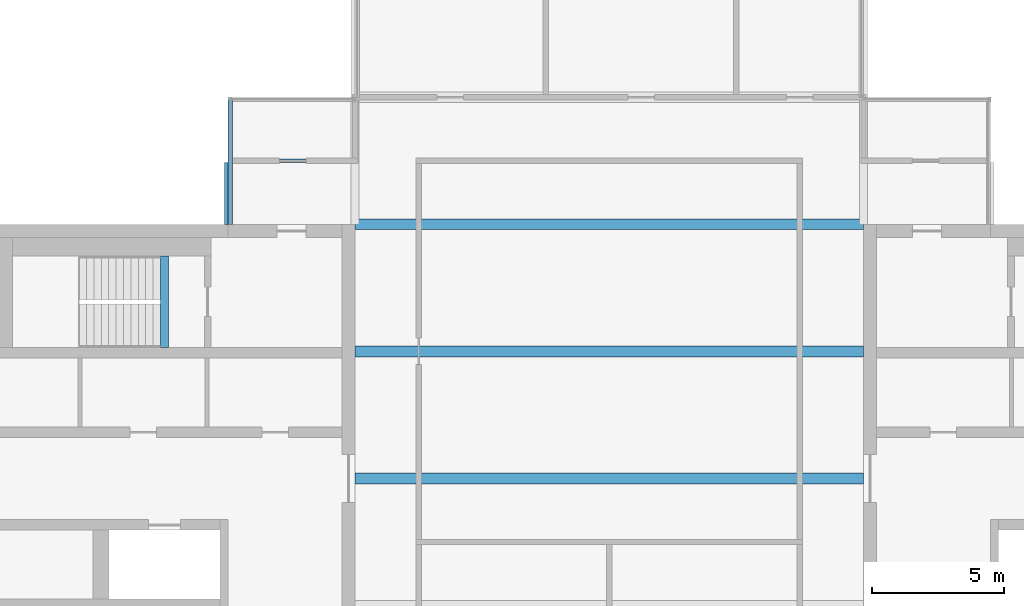
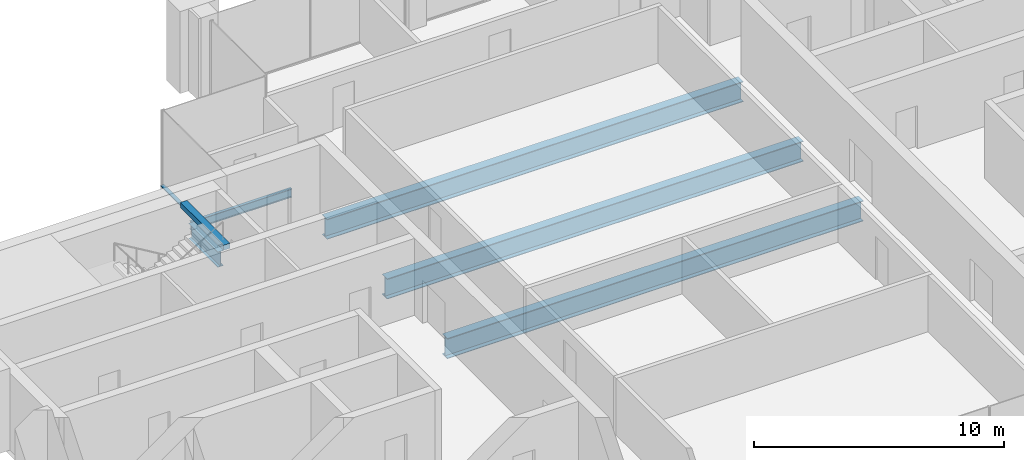
# One storey, part 5 of 12: 6 beams, 1 member, 1 element without a shape of its own.
"""IFC4 building model written with IfcOpenShell, lengths in metres."""

from ifc_helpers import new_model, si_unit, direction, frame, origin, origin_2d, place, context, subcontext, project, spatial, rectangle, i_section, extrude, material, material_profile, profile_set, type_object, element, aggregate, save


model = new_model("IFC4")

# Units and contexts
model_context = context("Model", 3, precision=1e-05, world=origin(), true_north=direction((0.0, 1.0)))
body_context = subcontext(model_context, "Body", "Model", "MODEL_VIEW")
ifc_project = project(units=[si_unit("LENGTHUNIT", "METRE"), si_unit("AREAUNIT", "SQUARE_METRE"), si_unit("VOLUMEUNIT", "CUBIC_METRE"), si_unit("PLANEANGLEUNIT", "RADIAN"), si_unit("MASSUNIT", "GRAM", prefix="KILO")], contexts=[model_context])

# Site, building, storey
site_placement = place(None, origin())
site = spatial("IfcSite", under=ifc_project, at=site_placement, CompositionType="ELEMENT")
building_placement = place(site_placement, origin())
building = spatial("IfcBuilding", under=site, at=building_placement, Name="Baori Bourse Tower", CompositionType="ELEMENT")
storey_placement = place(building_placement, frame((0.0, 0.0, 370.300048828125)))
storey = spatial("IfcBuildingStorey", under=building, at=storey_placement, Name="L83", CompositionType="ELEMENT", Elevation=370.300048828125)

# Curtain wall, member
ifc_material_1 = material(Name="Pale anodised aluminium", Category="aluminium")
curtain_wall_type = type_object("IfcCurtainWallType", Name="CW3 Curtain wall", PredefinedType="NOTDEFINED", material=ifc_material_1)
curtain_wall_placement = place(storey_placement, origin())
curtain_wall = element("IfcCurtainWall", 1, at=curtain_wall_placement, inside=storey, type_object=curtain_wall_type, Name="Curtain wall CW3 L83 9", PredefinedType="NOTDEFINED")
ifc_material_2 = material(Name="Pale anodised aluminium", Category="aluminium")
ifc_material_profile_1 = material_profile(ifc_material_2, rectangle(XDim=0.159912109375, YDim=0.06005859375, at=origin_2d()), Name="Transom 60x160")
ifc_profile_set_1 = profile_set([ifc_material_profile_1], Name="Pale anodised aluminium")
member_type = type_object("IfcMemberType", Name="CW3 Curtain wall transom", PredefinedType="USERDEFINED", material=ifc_profile_set_1)
member_placement = place(storey_placement, frame((14.47998046875, 43.199951171875, 0.030029296875), z_axis=(0.0, -1.0, 0.0), x_axis=(1.0, 0.0, 0.0)))
member = element("IfcMember", 2, at=member_placement, type_object=member_type, Name="Curtain wall CW3 sill rail", ObjectType="TRANSOM", PredefinedType="USERDEFINED", context=body_context, shape_type="SweptSolid", body=[
    extrude(rectangle(XDim=0.159912109375, YDim=0.06005859375, at=origin_2d()), origin(), (0.0, 0.0, 1.0), 4.800048828125),
])
aggregate(curtain_wall, [member])

# Beams
ifc_material_3 = material(Name="Steel A992 Gr 50", Category="steel")
ifc_material_profile_2 = material_profile(ifc_material_3, i_section(OverallWidth=0.26416015625, OverallDepth=0.749267578125, WebThickness=0.011962890625, FlangeThickness=0.015380859375, at=origin_2d()), Name="W30x90")
ifc_profile_set_2 = profile_set([ifc_material_profile_2], Name="Steel A992 Gr 50")
beam_type_1 = type_object("IfcBeamType", Name="Core bracket W30x90", PredefinedType="BEAM", material=ifc_profile_set_2)
beam_1_placement = place(storey_placement, frame((14.39990234375, 38.39990234375, -0.624755859375), z_axis=(0.0, 1.0, 0.0), x_axis=(-1.0, 0.0, 0.0)))
element("IfcBeam", 3, at=beam_1_placement, inside=storey, type_object=beam_type_1, Name="Core bracket L83", PredefinedType="BEAM", context=body_context, shape_type="SweptSolid", body=[
    extrude(i_section(OverallWidth=0.26416015625, OverallDepth=0.749267578125, WebThickness=0.011962890625, FlangeThickness=0.015380859375, at=origin_2d()), origin(), (0.0, 0.0, 1.0), 2.329833984375),
])
ifc_material_4 = material(Name="Steel A992 Gr 50", Category="steel")
ifc_material_profile_3 = material_profile(ifc_material_4, i_section(OverallWidth=0.4013671875, OverallDepth=0.990478515625, WebThickness=0.0166015625, FlangeThickness=0.031005859375, at=origin_2d()), Name="W40x215")
ifc_profile_set_3 = profile_set([ifc_material_profile_3], Name="Steel A992 Gr 50")
beam_type_2 = type_object("IfcBeamType", Name="Floor beam W40x215", PredefinedType="BEAM", material=ifc_profile_set_3)
for number, where, z_axis, x_axis, name in (
    (4, (19.199951171875, 28.800048828125, -0.745361328125), (1.0, 0.0, 0.0), (0.0, 1.0, 0.0), "Floor beam L83"),
    (5, (19.199951171875, 33.60009765625, -0.745361328125), (1.0, 0.0, 0.0), (0.0, 1.0, 0.0), "Floor beam L83"),
    (6, (19.199951171875, 38.39990234375, -0.745361328125), (1.0, 0.0, 0.0), (0.0, 1.0, 0.0), "Floor beam L83"),
):
    element("IfcBeam", number, at=place(storey_placement, frame(where, z_axis=z_axis, x_axis=x_axis)), inside=storey, type_object=beam_type_2, Name=name, PredefinedType="BEAM", context=body_context, shape_type="SweptSolid", body=[
        extrude(i_section(OverallWidth=0.4013671875, OverallDepth=0.990478515625, WebThickness=0.0166015625, FlangeThickness=0.031005859375, at=origin_2d()), origin(), (0.0, 0.0, 1.0), 19.199951171875),
    ])
ifc_material_5 = material(Name="Concrete f'c 50 MPa", Category="concrete")
ifc_material_profile_4 = material_profile(ifc_material_5, rectangle(XDim=0.300048828125, YDim=0.25, at=origin_2d()), Name="RC 300x250")
ifc_profile_set_4 = profile_set([ifc_material_profile_4], Name="Concrete f'c 50 MPa")
beam_type_3 = type_object("IfcBeamType", Name="Stair nib beam RC 300x250", PredefinedType="BEAM", material=ifc_profile_set_4)
beam_2_placement = place(storey_placement, frame((12.0, 33.75, 3.625), z_axis=(0.0, 1.0, 0.0), x_axis=(-1.0, 0.0, 0.0)))
element("IfcBeam", 7, at=beam_2_placement, inside=storey, type_object=beam_type_3, Name="Stair WB nib beam L84", PredefinedType="BEAM", context=body_context, shape_type="SweptSolid", body=[
    extrude(rectangle(XDim=0.300048828125, YDim=0.25, at=origin_2d()), origin(), (0.0, 0.0, 1.0), 3.449951171875),
])
ifc_material_6 = material(Name="Steel A992 Gr 50", Category="steel")
ifc_material_profile_5 = material_profile(ifc_material_6, i_section(OverallWidth=0.140380859375, OverallDepth=0.40380859375, WebThickness=0.007080078125, FlangeThickness=0.01123046875, at=origin_2d()), Name="W16x31")
ifc_profile_set_5 = profile_set([ifc_material_profile_5], Name="Steel A992 Gr 50")
beam_type_4 = type_object("IfcBeamType", Name="Trimmer beam W16x31", PredefinedType="BEAM", material=ifc_profile_set_5)
beam_3_placement = place(storey_placement, frame((14.39990234375, 40.800048828125, -0.451904296875), z_axis=(1.0, 0.0, 0.0), x_axis=(0.0, 1.0, 0.0)))
element("IfcBeam", 8, at=beam_3_placement, inside=storey, type_object=beam_type_4, Name="Trimmer beam L83", PredefinedType="BEAM", context=body_context, shape_type="SweptSolid", body=[
    extrude(i_section(OverallWidth=0.140380859375, OverallDepth=0.40380859375, WebThickness=0.007080078125, FlangeThickness=0.01123046875, at=origin_2d()), origin(), (0.0, 0.0, 1.0), 4.650146484375),
])

save(model, "model.ifc")
